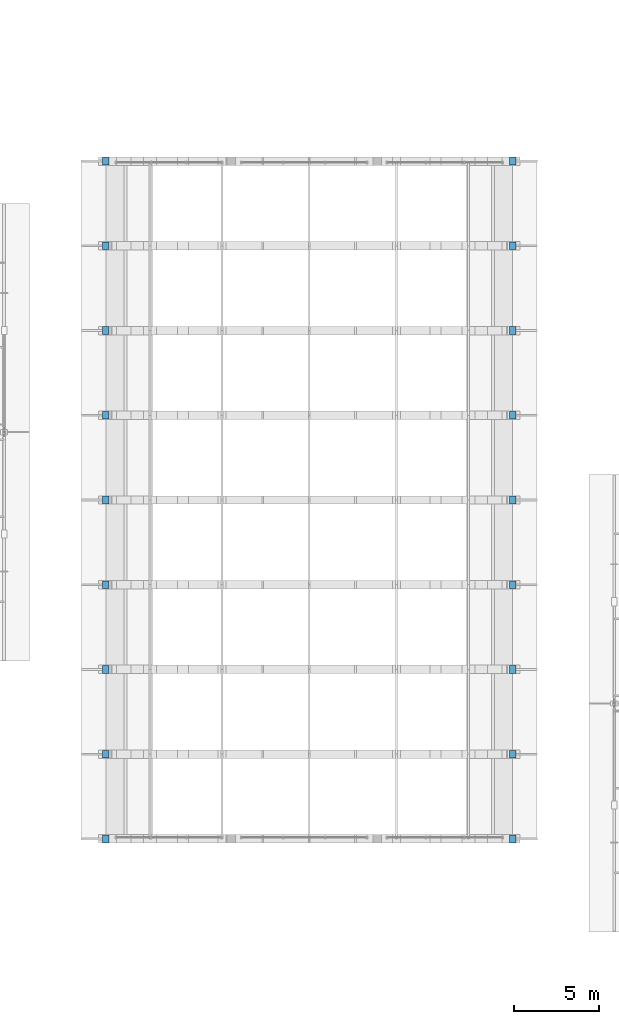
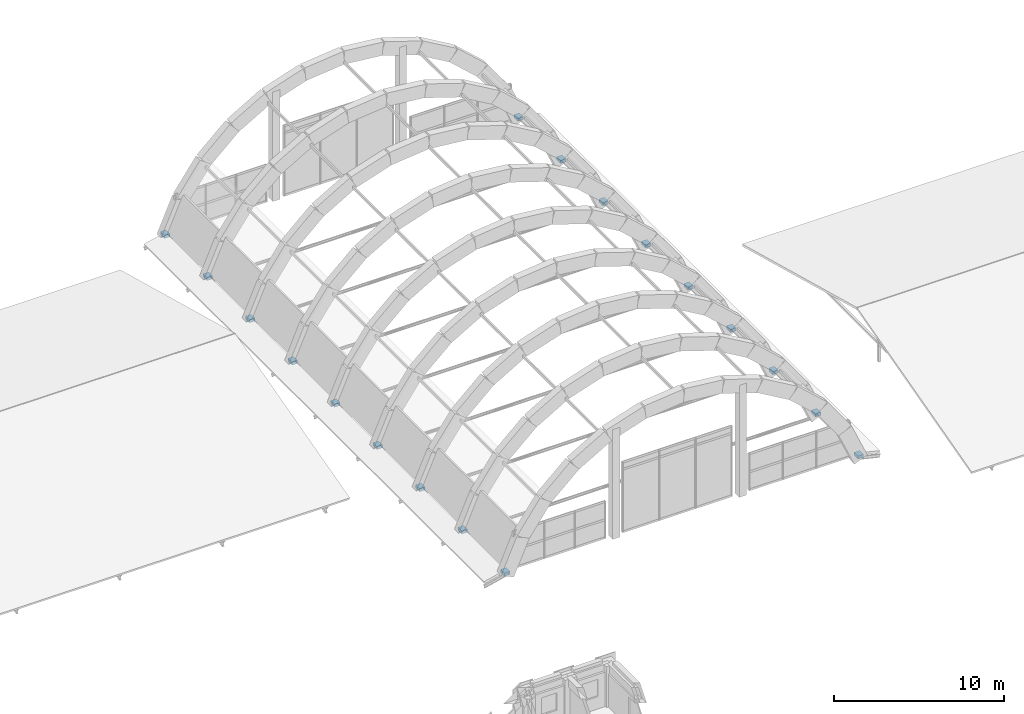
# One storey, part 58 of 76: 18 discrete accessories.
"""IFC4 building model written with IfcOpenShell, lengths in metres."""

from ifc_helpers import new_model, si_unit, direction, frame, origin, origin_2d, place, context, subcontext, project, spatial, rectangle, extrude, material, type_object, element, save


model = new_model("IFC4")

# Units and contexts
model_context = context("Model", 3, precision=1e-05, world=origin(), true_north=direction((0.0, 1.0)))
body_context = subcontext(model_context, "Body", "Model", "MODEL_VIEW")
ifc_project = project(units=[si_unit("LENGTHUNIT", "METRE"), si_unit("AREAUNIT", "SQUARE_METRE"), si_unit("VOLUMEUNIT", "CUBIC_METRE"), si_unit("PLANEANGLEUNIT", "RADIAN"), si_unit("MASSUNIT", "GRAM", prefix="KILO")], contexts=[model_context])

# Site, building, storey
site_placement = place(None, origin())
site = spatial("IfcSite", under=ifc_project, at=site_placement, CompositionType="ELEMENT")
building_placement = place(site_placement, origin())
building = spatial("IfcBuilding", under=site, at=building_placement, Name="Kiranvali Square Residences", CompositionType="ELEMENT")
storey_placement = place(building_placement, frame((0.0, 0.0, 8.699951171875)))
storey = spatial("IfcBuildingStorey", under=building, at=storey_placement, Name="L02", CompositionType="ELEMENT", Elevation=8.699951171875)

# Discrete accessories
ifc_material = material(Name="Structural steel E350", Category="steel")
discrete_accessory_type = type_object("IfcDiscreteAccessoryType", Name="ACC-SHOE-VAULT", PredefinedType="SHOE", material=ifc_material)
for number, where, z_axis, x_axis, name in (
    (1, (72.0, 44.0, -0.08984375), (0.0, 0.0, 1.0), (1.0, 0.0, 0.0), "Community Hall vault springing shoe W1"),
    (2, (96.0, 44.0, -0.08984375), (0.0, 0.0, 1.0), (1.0, 0.0, 0.0), "Community Hall vault springing shoe E1"),
    (3, (72.0, 49.0, -0.08984375), (0.0, 0.0, 1.0), (1.0, 0.0, 0.0), "Community Hall vault springing shoe W2"),
    (4, (96.0, 49.0, -0.08984375), (0.0, 0.0, 1.0), (1.0, 0.0, 0.0), "Community Hall vault springing shoe E2"),
    (5, (72.0, 54.0, -0.08984375), (0.0, 0.0, 1.0), (1.0, 0.0, 0.0), "Community Hall vault springing shoe W3"),
    (6, (96.0, 54.0, -0.08984375), (0.0, 0.0, 1.0), (1.0, 0.0, 0.0), "Community Hall vault springing shoe E3"),
    (7, (72.0, 59.0, -0.08984375), (0.0, 0.0, 1.0), (1.0, 0.0, 0.0), "Community Hall vault springing shoe W4"),
    (8, (96.0, 59.0, -0.08984375), (0.0, 0.0, 1.0), (1.0, 0.0, 0.0), "Community Hall vault springing shoe E4"),
    (9, (72.0, 64.0, -0.08984375), (0.0, 0.0, 1.0), (1.0, 0.0, 0.0), "Community Hall vault springing shoe W5"),
    (10, (96.0, 64.0, -0.08984375), (0.0, 0.0, 1.0), (1.0, 0.0, 0.0), "Community Hall vault springing shoe E5"),
    (11, (72.0, 69.0, -0.08984375), (0.0, 0.0, 1.0), (1.0, 0.0, 0.0), "Community Hall vault springing shoe W6"),
    (12, (96.0, 69.0, -0.08984375), (0.0, 0.0, 1.0), (1.0, 0.0, 0.0), "Community Hall vault springing shoe E6"),
    (13, (72.0, 74.0, -0.08984375), (0.0, 0.0, 1.0), (1.0, 0.0, 0.0), "Community Hall vault springing shoe W7"),
    (14, (96.0, 74.0, -0.08984375), (0.0, 0.0, 1.0), (1.0, 0.0, 0.0), "Community Hall vault springing shoe E7"),
    (15, (72.0, 79.0, -0.08984375), (0.0, 0.0, 1.0), (1.0, 0.0, 0.0), "Community Hall vault springing shoe W8"),
    (16, (96.0, 79.0, -0.08984375), (0.0, 0.0, 1.0), (1.0, 0.0, 0.0), "Community Hall vault springing shoe E8"),
    (17, (72.0, 84.0, -0.08984375), (0.0, 0.0, 1.0), (1.0, 0.0, 0.0), "Community Hall vault springing shoe W9"),
    (18, (96.0, 84.0, -0.08984375), (0.0, 0.0, 1.0), (1.0, 0.0, 0.0), "Community Hall vault springing shoe E9"),
):
    element("IfcDiscreteAccessory", number, at=place(storey_placement, frame(where, z_axis=z_axis, x_axis=x_axis)), inside=storey, type_object=discrete_accessory_type, Name=name, PredefinedType="SHOE", context=body_context, shape_type="SweptSolid", body=[
        extrude(rectangle(XDim=0.3798828125, YDim=0.4599609375, at=origin_2d()), origin(), (0.0, 0.0, 1.0), 0.219970703125),
    ])

save(model, "model.ifc")
